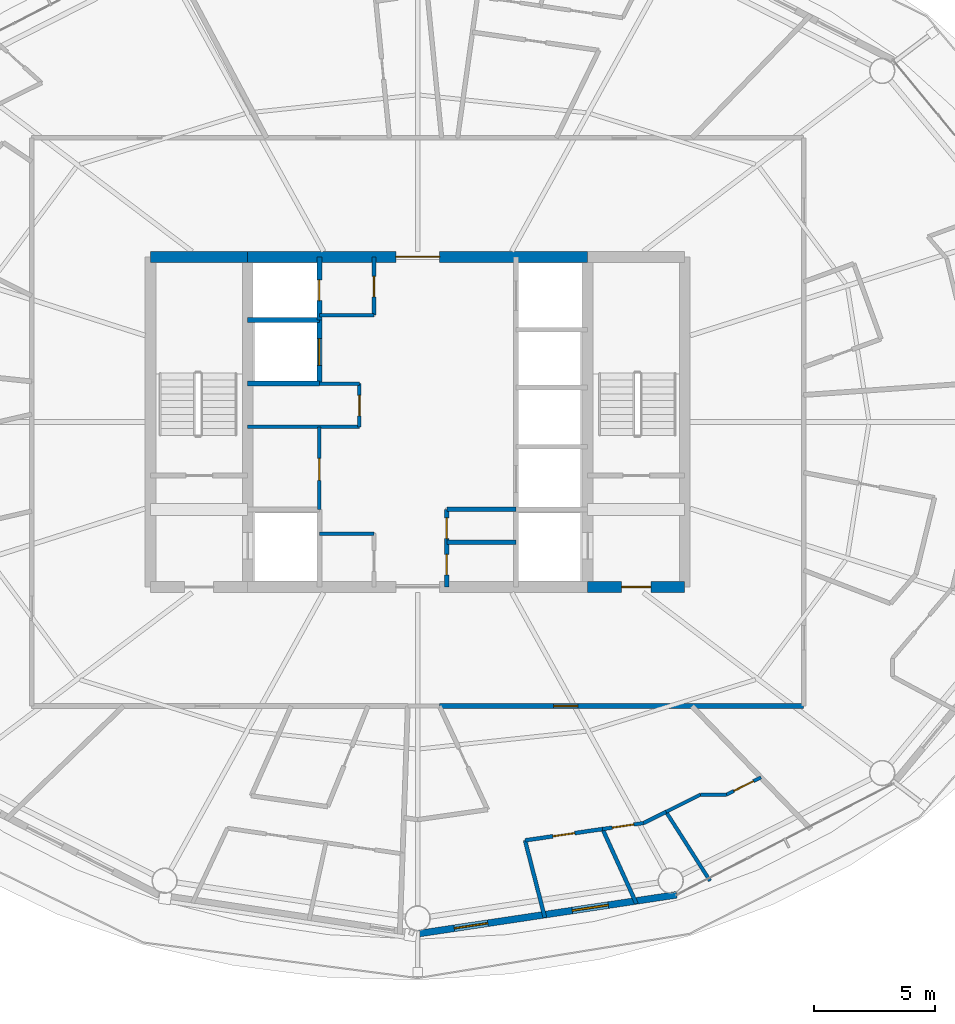
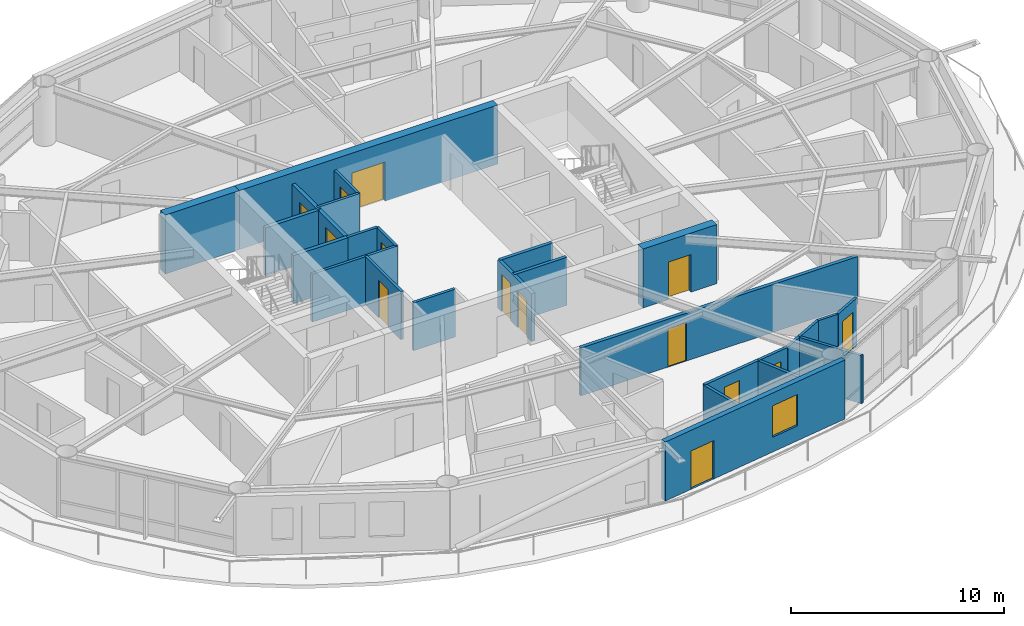
# One storey, part 22 of 28: 28 walls, 14 doors, 1 window, 15 openings.
"""IFC4 building model written with IfcOpenShell, lengths in metres."""

from ifc_helpers import new_model, si_unit, direction, frame, frame_2d, origin, place, context, subcontext, project, spatial, rectangle, extrude, material, layer, layer_set, type_object, element, fill, save


model = new_model("IFC4")

# Units and contexts
model_context = context("Model", 3, precision=1e-05, world=origin(), true_north=direction((0.0, 1.0)))
body_context = subcontext(model_context, "Body", "Model", "MODEL_VIEW")
ifc_project = project(units=[si_unit("LENGTHUNIT", "METRE"), si_unit("AREAUNIT", "SQUARE_METRE"), si_unit("VOLUMEUNIT", "CUBIC_METRE"), si_unit("PLANEANGLEUNIT", "RADIAN"), si_unit("MASSUNIT", "GRAM", prefix="KILO")], contexts=[model_context])

# Site, building, storey
site_placement = place(None, origin())
site = spatial("IfcSite", under=ifc_project, at=site_placement, CompositionType="ELEMENT")
building_placement = place(site_placement, origin())
building = spatial("IfcBuilding", under=site, at=building_placement, Name="Sarneth Arch Tower", CompositionType="ELEMENT")
storey_placement = place(building_placement, frame((0.0, 0.0, 154.199951171875)))
storey = spatial("IfcBuildingStorey", under=building, at=storey_placement, Name="L38", CompositionType="ELEMENT", Elevation=154.199951171875)

# Wall, opening, door
ifc_material_1 = material(Name="Concrete C50/60", Category="concrete")
ifc_layer_1 = layer(ifc_material_1, 0.449951171875)
ifc_layer_set_1 = layer_set([ifc_layer_1], Name="Concrete C50/60")
wall_type_1 = type_object("IfcWallType", Name="WALL-CORE-450", PredefinedType="SHEAR", material=ifc_layer_set_1)
wall_1_placement = place(storey_placement, frame((55.0, 35.199951171875, 0.0), z_axis=(0.0, 0.0, 1.0), x_axis=(1.0, 0.0, 0.0)))
wall_1 = element("IfcWall", 1, at=wall_1_placement, inside=storey, type_object=wall_type_1, Name="L38 Core shear wall S-E", PredefinedType="SHEAR", context=body_context, shape_type="SweptSolid", body=[
    extrude(rectangle(XDim=4.0, YDim=0.449951171875, at=frame_2d((2.0, 0.0))), origin(), (0.0, 0.0, 1.0), 3.380126953125),
])
opening_1_placement = place(wall_1_placement, frame((1.39990234375, 0.0, 0.0)))
opening_1 = element("IfcOpeningElement", 2, at=opening_1_placement, cuts=wall_1, Name="Opening FD-02", PredefinedType="OPENING", context=body_context, shape_type="SweptSolid", body=[
    extrude(rectangle(XDim=1.199951171875, YDim=2.14990234375, at=frame_2d((0.60009765625, 1.074951171875))), frame((0.0, 0.23486328125, 0.0), z_axis=(0.0, -1.0, 0.0), x_axis=(1.0, 0.0, 0.0)), (0.0, 0.0, 1.0), 0.469970703125),
])
ifc_material_2 = material(Name="Galvanised Steel S275 fire door set", Category="steel")
door_type_1 = type_object("IfcDoorType", Name="DR-FD90-1200", OperationType="SINGLE_SWING_LEFT", PredefinedType="DOOR", material=ifc_material_2)
door_1_placement = place(opening_1_placement, origin())
door_1 = element("IfcDoor", 3, at=door_1_placement, inside=storey, type_object=door_type_1, Name="L38 Firefighting lobby 2 exit door", OperationType="SINGLE_SWING_RIGHT", OverallHeight=2.14990234375, OverallWidth=1.199951171875, PredefinedType="DOOR", context=body_context, shape_type="SweptSolid", body=[
    extrude(rectangle(XDim=1.199951171875, YDim=2.14990234375, at=frame_2d((0.60009765625, 1.074951171875))), frame((0.0, 0.02490234375, 0.0), z_axis=(0.0, -1.0, 0.0), x_axis=(1.0, 0.0, 0.0)), (0.0, 0.0, 1.0), 0.050048828125),
])
fill(opening_1, door_1)

# Wall
wall_2_placement = place(storey_placement, frame((37.0, 48.800048828125, 0.0), z_axis=(0.0, 0.0, 1.0), x_axis=(1.0, 0.0, 0.0)))
element("IfcWall", 4, at=wall_2_placement, inside=storey, type_object=wall_type_1, Name="L38 Core shear wall N-W", PredefinedType="SHEAR", context=body_context, shape_type="SweptSolid", body=[
    extrude(rectangle(XDim=4.0, YDim=0.449951171875, at=frame_2d((2.0, 0.0))), origin(), (0.0, 0.0, 1.0), 3.380126953125),
])

# Wall, opening, door
wall_3_placement = place(storey_placement, frame((41.0, 48.800048828125, 0.0), z_axis=(0.0, 0.0, 1.0), x_axis=(1.0, 0.0, 0.0)))
wall_3 = element("IfcWall", 5, at=wall_3_placement, inside=storey, type_object=wall_type_1, Name="L38 Core shear wall N-M", PredefinedType="SHEAR", context=body_context, shape_type="SweptSolid", body=[
    extrude(rectangle(XDim=14.0, YDim=0.449951171875, at=frame_2d((7.0, 0.0))), origin(), (0.0, 0.0, 1.0), 3.380126953125),
])
opening_2_placement = place(wall_3_placement, frame((6.10009765625, 0.0, 0.0)))
opening_2 = element("IfcOpeningElement", 6, at=opening_2_placement, cuts=wall_3, Name="Opening FD-01", PredefinedType="OPENING", context=body_context, shape_type="SweptSolid", body=[
    extrude(rectangle(XDim=1.800048828125, YDim=2.25, at=frame_2d((0.89990234375, 1.125))), frame((0.0, 0.23486328125, 0.0), z_axis=(0.0, -1.0, 0.0), x_axis=(1.0, 0.0, 0.0)), (0.0, 0.0, 1.0), 0.469970703125),
])
ifc_material_3 = material(Name="Galvanised Steel S275 fire door set", Category="steel")
door_type_2 = type_object("IfcDoorType", Name="DR-FD90-1800", OperationType="DOUBLE_DOOR_SINGLE_SWING", PredefinedType="DOOR", material=ifc_material_3)
door_2_placement = place(opening_2_placement, origin())
door_2 = element("IfcDoor", 7, at=door_2_placement, inside=storey, type_object=door_type_2, Name="L38 Central lift lobby north door", OperationType="DOUBLE_DOOR_SINGLE_SWING", OverallHeight=2.25, OverallWidth=1.800048828125, PredefinedType="DOOR", context=body_context, shape_type="SweptSolid", body=[
    extrude(rectangle(XDim=1.800048828125, YDim=2.25, at=frame_2d((0.89990234375, 1.125))), frame((0.0, 0.02490234375, 0.0), z_axis=(0.0, -1.0, 0.0), x_axis=(1.0, 0.0, 0.0)), (0.0, 0.0, 1.0), 0.050048828125),
])
fill(opening_2, door_2)

ifc_material_4 = material(Name="Double steel-stud corridor fire wall", Category="steel")
ifc_layer_2 = layer(ifc_material_4, 0.18994140625)
ifc_layer_set_2 = layer_set([ifc_layer_2], Name="Double steel-stud corridor fire wall")
wall_type_2 = type_object("IfcWallType", Name="WALL-CORR-190", PredefinedType="PARTITIONING", material=ifc_layer_set_2)
wall_4_placement = place(storey_placement, frame((48.89111328125, 30.300048828125, 0.0), z_axis=(0.0, 0.0, 1.0), x_axis=(1.0, 0.0, 0.0)))
wall_4 = element("IfcWall", 8, at=wall_4_placement, inside=storey, type_object=wall_type_2, Name="L38 Interior partition W-L38-TP-021", PredefinedType="PARTITIONING", context=body_context, shape_type="SweptSolid", body=[
    extrude(rectangle(XDim=15.0087890625, YDim=0.18994140625, at=frame_2d((7.50439453125, 0.0))), origin(), (0.0, 0.0, 1.0), 2.739990234375),
])
opening_3_placement = place(wall_4_placement, frame((4.70361328125, 0.0, 0.0)))
opening_3 = element("IfcOpeningElement", 9, at=opening_3_placement, cuts=wall_4, Name="Opening FD-08", PredefinedType="OPENING", context=body_context, shape_type="SweptSolid", body=[
    extrude(rectangle(XDim=1.0, YDim=2.199951171875, at=frame_2d((0.5, 1.10009765625))), frame((0.0, 0.10498046875, 0.0), z_axis=(0.0, -1.0, 0.0), x_axis=(1.0, 0.0, 0.0)), (0.0, 0.0, 1.0), 0.2099609375),
])
ifc_material_5 = material(Name="Hardwood timber acoustic fire door", Category="wood")
door_type_3 = type_object("IfcDoorType", Name="DR-FD60-1000", OperationType="SINGLE_SWING_LEFT", PredefinedType="DOOR", material=ifc_material_5)
door_3_placement = place(opening_3_placement, origin())
door_3 = element("IfcDoor", 10, at=door_3_placement, inside=storey, type_object=door_type_3, Name="L38 Interior door DR-L38-U7-ENT", OperationType="SINGLE_SWING_LEFT", OverallHeight=2.199951171875, OverallWidth=1.0, PredefinedType="DOOR", context=body_context, shape_type="SweptSolid", body=[
    extrude(rectangle(XDim=1.0, YDim=2.199951171875, at=frame_2d((0.5, 1.10009765625))), frame((0.0, 0.02490234375, 0.0), z_axis=(0.0, -1.0, 0.0), x_axis=(1.0, 0.0, 0.0)), (0.0, 0.0, 1.0), 0.050048828125),
])
fill(opening_3, door_3)

# Wall, openings, door, window
ifc_material_6 = material(Name="Extruded terracotta rainscreen on Concrete C40/50 backing", Category="masonry")
ifc_layer_3 = layer(ifc_material_6, 0.280029296875)
ifc_layer_set_3 = layer_set([ifc_layer_3], Name="Extruded terracotta rainscreen on Concrete C40/50 backing")
wall_type_3 = type_object("IfcWallType", Name="WALL-EXT-TERRA-280", PredefinedType="SOLIDWALL", material=ifc_layer_set_3)
wall_5_placement = place(storey_placement, frame((48.0, 20.919921875, 0.0), z_axis=(0.0, 0.0, 1.0), x_axis=(0.988863993413, 0.148822049884, 0.0)))
wall_5 = element("IfcWall", 11, at=wall_5_placement, inside=storey, type_object=wall_type_3, Name="L38 Terracotta perimeter wall 13", PredefinedType="SOLIDWALL", context=body_context, shape_type="SweptSolid", body=[
    extrude(rectangle(XDim=10.782958984375, YDim=0.280029296875, at=frame_2d((5.3916015625, 0.0))), origin(), (0.0, 0.0, 1.0), 3.380126953125),
])
opening_4_placement = place(wall_5_placement, frame((1.523681640625, 0.0, 0.0)))
opening_4 = element("IfcOpeningElement", 12, at=opening_4_placement, cuts=wall_5, Name="Opening BD-2", PredefinedType="OPENING", context=body_context, shape_type="SweptSolid", body=[
    extrude(rectangle(XDim=1.39990234375, YDim=2.199951171875, at=frame_2d((0.699951171875, 1.10009765625))), frame((0.0, 0.14990234375, 0.0), z_axis=(0.0, -1.0, 0.0), x_axis=(1.0, 0.0, 0.0)), (0.0, 0.0, 1.0), 0.300048828125),
])
opening_5_placement = place(wall_5_placement, frame((6.437255859375, 0.0, 0.85009765625)))
opening_5 = element("IfcOpeningElement", 13, at=opening_5_placement, cuts=wall_5, Name="Opening W-07", PredefinedType="OPENING", context=body_context, shape_type="SweptSolid", body=[
    extrude(rectangle(XDim=1.5, YDim=1.800048828125, at=frame_2d((0.75, 0.89990234375))), frame((0.0, 0.14990234375, 0.0), z_axis=(0.0, -1.0, 0.0), x_axis=(1.0, 0.0, 0.0)), (0.0, 0.0, 1.0), 0.300048828125),
])
ifc_material_7 = material(Name="Thermally broken Aluminium 6063-T6 and laminated safety glass", Category="aluminium")
door_type_4 = type_object("IfcDoorType", Name="DR-BALC-GLZ-1400", OperationType="SINGLE_SWING_LEFT", PredefinedType="DOOR", material=ifc_material_7)
door_4_placement = place(opening_4_placement, origin())
door_4 = element("IfcDoor", 14, at=door_4_placement, inside=storey, type_object=door_type_4, Name="L38 Balcony glazed door 13", OperationType="SINGLE_SWING_LEFT", OverallHeight=2.199951171875, OverallWidth=1.39990234375, PredefinedType="DOOR", context=body_context, shape_type="SweptSolid", body=[
    extrude(rectangle(XDim=1.39990234375, YDim=2.199951171875, at=frame_2d((0.699951171875, 1.10009765625))), frame((0.0, 0.02490234375, 0.0), z_axis=(0.0, -1.0, 0.0), x_axis=(1.0, 0.0, 0.0)), (0.0, 0.0, 1.0), 0.050048828125),
])
fill(opening_4, door_4)
ifc_material_8 = material(Name="Thermally broken Aluminium 6063-T6 and low-e laminated IGU", Category="aluminium")
window_type = type_object("IfcWindowType", Name="WIN-TWR-1500x1800", PartitioningType="SINGLE_PANEL", PredefinedType="WINDOW", material=ifc_material_8)
window_placement = place(opening_5_placement, origin())
window = element("IfcWindow", 15, at=window_placement, inside=storey, type_object=window_type, Name="L38 Exterior window 13A", OverallHeight=1.800048828125, OverallWidth=1.5, PartitioningType="SINGLE_PANEL", PredefinedType="WINDOW", context=body_context, shape_type="SweptSolid", body=[
    extrude(rectangle(XDim=1.5, YDim=1.800048828125, at=frame_2d((0.75, 0.89990234375))), frame((0.0, 0.030029296875, 0.0), z_axis=(0.0, -1.0, 0.0), x_axis=(1.0, 0.0, 0.0)), (0.0, 0.0, 1.0), 0.06005859375),
])
fill(opening_5, window)

# Wall, opening, door
ifc_material_9 = material(Name="Apartment internal stud partition", Category="gypsum")
ifc_layer_4 = layer(ifc_material_9, 0.139892578125)
ifc_layer_set_4 = layer_set([ifc_layer_4], Name="Apartment internal stud partition")
wall_type_4 = type_object("IfcWallType", Name="WALL-PART-140", PredefinedType="PARTITIONING", material=ifc_layer_set_4)
wall_6_placement = place(storey_placement, frame((60.71337890625, 26.64990234375, 0.0), z_axis=(0.0, 0.0, 1.0), x_axis=(0.894917522296, 0.446231585937, 0.0)))
wall_6 = element("IfcWall", 16, at=wall_6_placement, inside=storey, type_object=wall_type_4, Name="L38 Interior partition W-L38-TP-096", PredefinedType="PARTITIONING", context=body_context, shape_type="SweptSolid", body=[
    extrude(rectangle(XDim=1.591552734375, YDim=0.139892578125, at=frame_2d((0.7958984375, 0.0))), origin(), (0.0, 0.0, 1.0), 2.739990234375),
])
opening_6_placement = place(wall_6_placement, frame((0.345703125, 0.0, 0.0)))
opening_6 = element("IfcOpeningElement", 17, at=opening_6_placement, cuts=wall_6, Name="Opening ID-01", PredefinedType="OPENING", context=body_context, shape_type="SweptSolid", body=[
    extrude(rectangle(XDim=0.89990234375, YDim=2.10009765625, at=frame_2d((0.449951171875, 1.050048828125))), frame((0.0, 0.079833984375, 0.0), z_axis=(0.0, -1.0, 0.0), x_axis=(1.0, 0.0, 0.0)), (0.0, 0.0, 1.0), 0.159912109375),
])
ifc_material_10 = material(Name="Engineered hardwood flush door", Category="wood")
door_type_5 = type_object("IfcDoorType", Name="DR-INT-900", OperationType="SINGLE_SWING_LEFT", PredefinedType="DOOR", material=ifc_material_10)
door_5_placement = place(opening_6_placement, origin())
door_5 = element("IfcDoor", 18, at=door_5_placement, inside=storey, type_object=door_type_5, Name="L38 Interior door DR-L38-U7-BED2", OperationType="SINGLE_SWING_RIGHT", OverallHeight=2.10009765625, OverallWidth=0.89990234375, PredefinedType="DOOR", context=body_context, shape_type="SweptSolid", body=[
    extrude(rectangle(XDim=0.89990234375, YDim=2.10009765625, at=frame_2d((0.449951171875, 1.050048828125))), frame((0.0, 0.02490234375, 0.0), z_axis=(0.0, -1.0, 0.0), x_axis=(1.0, 0.0, 0.0)), (0.0, 0.0, 1.0), 0.050048828125),
])
fill(opening_6, door_5)

# Walls
wall_7_placement = place(storey_placement, frame((58.22998046875, 25.94189453125, 0.0), z_axis=(0.0, 0.0, 1.0), x_axis=(0.895072075717, 0.445921494516, 0.0)))
element("IfcWall", 19, at=wall_7_placement, inside=storey, type_object=wall_type_4, Name="L38 Interior partition W-L38-TP-094", PredefinedType="PARTITIONING", context=body_context, shape_type="SweptSolid", body=[
    extrude(rectangle(XDim=1.587646484375, YDim=0.139892578125, at=frame_2d((0.7939453125, 0.0))), origin(), (0.0, 0.0, 1.0), 2.739990234375),
])
wall_8_placement = place(storey_placement, frame((59.651123046875, 26.64990234375, 0.0), z_axis=(0.0, 0.0, 1.0), x_axis=(1.0, 0.0, 0.0)))
element("IfcWall", 20, at=wall_8_placement, inside=storey, type_object=wall_type_4, Name="L38 Interior partition W-L38-TP-095", PredefinedType="PARTITIONING", context=body_context, shape_type="SweptSolid", body=[
    extrude(rectangle(XDim=1.062255859375, YDim=0.139892578125, at=frame_2d((0.53125, 0.0))), origin(), (0.0, 0.0, 1.0), 2.739990234375),
])

# Wall, opening, door
ifc_material_11 = material(Name="Acoustic gypsum stud partition", Category="gypsum")
ifc_layer_5 = layer(ifc_material_11, 0.14990234375)
ifc_layer_set_5 = layer_set([ifc_layer_5], Name="Acoustic gypsum stud partition")
wall_type_5 = type_object("IfcWallType", Name="WALL-PART-150", PredefinedType="PARTITIONING", material=ifc_layer_set_5)
wall_9_placement = place(storey_placement, frame((43.949951171875, 38.39990234375, 0.0), z_axis=(0.0, 0.0, 1.0), x_axis=(0.0, 1.0, 0.0)))
wall_9 = element("IfcWall", 21, at=wall_9_placement, inside=storey, type_object=wall_type_5, Name="L38 Interior partition W-L38-RECPL-E1", PredefinedType="PARTITIONING", context=body_context, shape_type="SweptSolid", body=[
    extrude(rectangle(XDim=3.400146484375, YDim=0.14990234375, at=frame_2d((1.7001953125, 0.0))), origin(), (0.0, 0.0, 1.0), 2.739990234375),
])
opening_7_placement = place(wall_9_placement, frame((1.199951171875, 0.0, 0.0)))
opening_7 = element("IfcOpeningElement", 22, at=opening_7_placement, cuts=wall_9, Name="Opening FD-10", PredefinedType="OPENING", context=body_context, shape_type="SweptSolid", body=[
    extrude(rectangle(XDim=0.89990234375, YDim=2.14990234375, at=frame_2d((0.449951171875, 1.074951171875))), frame((0.0, 0.0849609375, 0.0), z_axis=(0.0, -1.0, 0.0), x_axis=(1.0, 0.0, 0.0)), (0.0, 0.0, 1.0), 0.169921875),
])
ifc_material_12 = material(Name="Galvanised Steel S275 riser/service fire door", Category="steel")
door_type_6 = type_object("IfcDoorType", Name="DR-FD60-900", OperationType="SINGLE_SWING_LEFT", PredefinedType="DOOR", material=ifc_material_12)
door_6_placement = place(opening_7_placement, origin())
door_6 = element("IfcDoor", 23, at=door_6_placement, inside=storey, type_object=door_type_6, Name="L38 Interior door DR-L38-RECPL1", OperationType="SINGLE_SWING_LEFT", OverallHeight=2.14990234375, OverallWidth=0.89990234375, PredefinedType="DOOR", context=body_context, shape_type="SweptSolid", body=[
    extrude(rectangle(XDim=0.89990234375, YDim=2.14990234375, at=frame_2d((0.449951171875, 1.074951171875))), frame((0.0, 0.02490234375, 0.0), z_axis=(0.0, -1.0, 0.0), x_axis=(1.0, 0.0, 0.0)), (0.0, 0.0, 1.0), 0.050048828125),
])
fill(opening_7, door_6)

# Walls
wall_10_placement = place(storey_placement, frame((41.0, 41.800048828125, 0.0), z_axis=(0.0, 0.0, 1.0), x_axis=(1.0, 0.0, 0.0)))
element("IfcWall", 24, at=wall_10_placement, inside=storey, type_object=wall_type_5, Name="L38 Interior partition W-L38-RECPL-S2", PredefinedType="PARTITIONING", context=body_context, shape_type="SweptSolid", body=[
    extrude(rectangle(XDim=4.60009765625, YDim=0.14990234375, at=frame_2d((2.300048828125, 0.0))), origin(), (0.0, 0.0, 1.0), 2.739990234375),
])
wall_11_placement = place(storey_placement, frame((43.949951171875, 43.580078125, 0.0), z_axis=(0.0, 0.0, 1.0), x_axis=(1.0, 0.0, 0.0)))
element("IfcWall", 25, at=wall_11_placement, inside=storey, type_object=wall_type_5, Name="L38 Interior partition W-L38-RECPL-N2", PredefinedType="PARTITIONING", context=body_context, shape_type="SweptSolid", body=[
    extrude(rectangle(XDim=1.650146484375, YDim=0.14990234375, at=frame_2d((0.8251953125, 0.0))), origin(), (0.0, 0.0, 1.0), 2.739990234375),
])

# Wall, opening, door
wall_12_placement = place(storey_placement, frame((45.60009765625, 41.800048828125, 0.0), z_axis=(0.0, 0.0, 1.0), x_axis=(0.0, 1.0, 0.0)))
wall_12 = element("IfcWall", 26, at=wall_12_placement, inside=storey, type_object=wall_type_5, Name="L38 Interior partition W-L38-RECPL-E2", PredefinedType="PARTITIONING", context=body_context, shape_type="SweptSolid", body=[
    extrude(rectangle(XDim=1.780029296875, YDim=0.14990234375, at=frame_2d((0.89013671875, 0.0))), origin(), (0.0, 0.0, 1.0), 2.739990234375),
])
opening_8_placement = place(wall_12_placement, frame((0.449951171875, 0.0, 0.0)))
opening_8 = element("IfcOpeningElement", 27, at=opening_8_placement, cuts=wall_12, Name="Opening FD-11", PredefinedType="OPENING", context=body_context, shape_type="SweptSolid", body=[
    extrude(rectangle(XDim=0.85009765625, YDim=2.14990234375, at=frame_2d((0.425048828125, 1.074951171875))), frame((0.0, 0.0849609375, 0.0), z_axis=(0.0, -1.0, 0.0), x_axis=(1.0, 0.0, 0.0)), (0.0, 0.0, 1.0), 0.169921875),
])
ifc_material_13 = material(Name="Galvanised Steel S275 closet fire door", Category="steel")
door_type_7 = type_object("IfcDoorType", Name="DR-FD60-850", OperationType="SINGLE_SWING_LEFT", PredefinedType="DOOR", material=ifc_material_13)
door_7_placement = place(opening_8_placement, origin())
door_7 = element("IfcDoor", 28, at=door_7_placement, inside=storey, type_object=door_type_7, Name="L38 Interior door DR-L38-RECPL2", OperationType="SINGLE_SWING_RIGHT", OverallHeight=2.14990234375, OverallWidth=0.85009765625, PredefinedType="DOOR", context=body_context, shape_type="SweptSolid", body=[
    extrude(rectangle(XDim=0.85009765625, YDim=2.14990234375, at=frame_2d((0.425048828125, 1.074951171875))), frame((0.0, 0.02490234375, 0.0), z_axis=(0.0, -1.0, 0.0), x_axis=(1.0, 0.0, 0.0)), (0.0, 0.0, 1.0), 0.050048828125),
])
fill(opening_8, door_7)

# Walls
for number, where, z_axis, x_axis, name in (
    (29, (43.949951171875, 37.39990234375, 0.0), (0.0, 0.0, 1.0), (1.0, 0.0, 0.0), "L38 Interior partition W-L38-CSUP1-N"),
    (30, (43.949951171875, 46.39990234375, 0.0), (0.0, 0.0, 1.0), (1.0, 0.0, 0.0), "L38 Interior partition W-L38-CSUP2-S"),
):
    element("IfcWall", number, at=place(storey_placement, frame(where, z_axis=z_axis, x_axis=x_axis)), inside=storey, type_object=wall_type_5, Name=name, PredefinedType="PARTITIONING", context=body_context, shape_type="SweptSolid", body=[
        extrude(rectangle(XDim=2.25, YDim=0.14990234375, at=frame_2d((1.125, 0.0))), origin(), (0.0, 0.0, 1.0), 2.739990234375),
    ])

# Wall, opening, door
wall_13_placement = place(storey_placement, frame((46.199951171875, 46.39990234375, 0.0), z_axis=(0.0, 0.0, 1.0), x_axis=(0.0, 1.0, 0.0)))
wall_13 = element("IfcWall", 31, at=wall_13_placement, inside=storey, type_object=wall_type_5, Name="L38 Interior partition W-L38-CSUP2-E", PredefinedType="PARTITIONING", context=body_context, shape_type="SweptSolid", body=[
    extrude(rectangle(XDim=2.400146484375, YDim=0.14990234375, at=frame_2d((1.2001953125, 0.0))), origin(), (0.0, 0.0, 1.0), 2.739990234375),
])
opening_9_placement = place(wall_13_placement, frame((0.75, 0.0, 0.0)))
opening_9 = element("IfcOpeningElement", 32, at=opening_9_placement, cuts=wall_13, Name="Opening FD-11", PredefinedType="OPENING", context=body_context, shape_type="SweptSolid", body=[
    extrude(rectangle(XDim=0.85009765625, YDim=2.14990234375, at=frame_2d((0.425048828125, 1.074951171875))), frame((0.0, 0.0849609375, 0.0), z_axis=(0.0, -1.0, 0.0), x_axis=(1.0, 0.0, 0.0)), (0.0, 0.0, 1.0), 0.169921875),
])
door_8_placement = place(opening_9_placement, origin())
door_8 = element("IfcDoor", 33, at=door_8_placement, inside=storey, type_object=door_type_7, Name="L38 Interior door DR-L38-CSUP2", OperationType="SINGLE_SWING_RIGHT", OverallHeight=2.14990234375, OverallWidth=0.85009765625, PredefinedType="DOOR", context=body_context, shape_type="SweptSolid", body=[
    extrude(rectangle(XDim=0.85009765625, YDim=2.14990234375, at=frame_2d((0.425048828125, 1.074951171875))), frame((0.0, 0.02490234375, 0.0), z_axis=(0.0, -1.0, 0.0), x_axis=(1.0, 0.0, 0.0)), (0.0, 0.0, 1.0), 0.050048828125),
])
fill(opening_9, door_8)

# Wall
wall_14_placement = place(storey_placement, frame((60.042236328125, 23.097412109375, 0.0), z_axis=(0.0, 0.0, 1.0), x_axis=(-0.537325063909, 0.843375228291, 0.0)))
element("IfcWall", 34, at=wall_14_placement, inside=storey, type_object=wall_type_5, Name="L38 Interior partition W-L38-TP-099", PredefinedType="PARTITIONING", context=body_context, shape_type="SweptSolid", body=[
    extrude(rectangle(XDim=3.372802734375, YDim=0.14990234375, at=frame_2d((1.6865234375, 0.0))), origin(), (0.0, 0.0, 1.0), 2.739990234375),
])

# Wall, opening, door
wall_15_placement = place(storey_placement, frame((55.614501953125, 25.23388671875, 0.0), z_axis=(0.0, 0.0, 1.0), x_axis=(0.98949000448, 0.144601282965, 0.0)))
wall_15 = element("IfcWall", 35, at=wall_15_placement, inside=storey, type_object=wall_type_5, Name="L38 Interior partition W-L38-TP-092", PredefinedType="PARTITIONING", context=body_context, shape_type="SweptSolid", body=[
    extrude(rectangle(XDim=1.708740234375, YDim=0.14990234375, at=frame_2d((0.8544921875, 0.0))), origin(), (0.0, 0.0, 1.0), 2.739990234375),
])
opening_10_placement = place(wall_15_placement, frame((0.404296875, 0.0, 0.0)))
opening_10 = element("IfcOpeningElement", 36, at=opening_10_placement, cuts=wall_15, Name="Opening ID-01", PredefinedType="OPENING", context=body_context, shape_type="SweptSolid", body=[
    extrude(rectangle(XDim=0.89990234375, YDim=2.10009765625, at=frame_2d((0.449951171875, 1.050048828125))), frame((0.0, 0.0849609375, 0.0), z_axis=(0.0, -1.0, 0.0), x_axis=(1.0, 0.0, 0.0)), (0.0, 0.0, 1.0), 0.169921875),
])
door_9_placement = place(opening_10_placement, origin())
door_9 = element("IfcDoor", 37, at=door_9_placement, inside=storey, type_object=door_type_5, Name="L38 Interior door DR-L38-U7-BED1", OperationType="SINGLE_SWING_RIGHT", OverallHeight=2.10009765625, OverallWidth=0.89990234375, PredefinedType="DOOR", context=body_context, shape_type="SweptSolid", body=[
    extrude(rectangle(XDim=0.89990234375, YDim=2.10009765625, at=frame_2d((0.449951171875, 1.050048828125))), frame((0.0, 0.02490234375, 0.0), z_axis=(0.0, -1.0, 0.0), x_axis=(1.0, 0.0, 0.0)), (0.0, 0.0, 1.0), 0.050048828125),
])
fill(opening_10, door_9)

# Walls
wall_16_placement = place(storey_placement, frame((57.30517578125, 25.48095703125, 0.0), z_axis=(0.0, 0.0, 1.0), x_axis=(0.894993521752, 0.446079136502, 0.0)))
element("IfcWall", 38, at=wall_16_placement, inside=storey, type_object=wall_type_5, Name="L38 Interior partition W-L38-TP-093", PredefinedType="PARTITIONING", context=body_context, shape_type="SweptSolid", body=[
    extrude(rectangle(XDim=1.033203125, YDim=0.14990234375, at=frame_2d((0.5166015625, 0.0))), origin(), (0.0, 0.0, 1.0), 2.739990234375),
])
ifc_material_14 = material(Name="Kitchen wet service chase wall", Category="gypsum")
ifc_layer_6 = layer(ifc_material_14, 0.159912109375)
ifc_layer_set_6 = layer_set([ifc_layer_6], Name="Kitchen wet service chase wall")
wall_type_6 = type_object("IfcWallType", Name="WALL-PLUMB-160", PredefinedType="PLUMBINGWALL", material=ifc_layer_set_6)
wall_17_placement = place(storey_placement, frame((57.0107421875, 22.1591796875, 0.0), z_axis=(0.0, 0.0, 1.0), x_axis=(-0.413470644354, 0.910517449727, 0.0)))
element("IfcWall", 39, at=wall_17_placement, inside=storey, type_object=wall_type_6, Name="L38 Interior partition W-L38-TP-098", PredefinedType="PLUMBINGWALL", context=body_context, shape_type="SweptSolid", body=[
    extrude(rectangle(XDim=3.376953125, YDim=0.159912109375, at=frame_2d((1.6884765625, 0.0))), origin(), (0.0, 0.0, 1.0), 2.739990234375),
])
wall_18_placement = place(storey_placement, frame((53.238525390625, 21.587646484375, 0.0), z_axis=(0.0, 0.0, 1.0), x_axis=(-0.248586515582, 0.96860969656, 0.0)))
element("IfcWall", 40, at=wall_18_placement, inside=storey, type_object=wall_type_6, Name="L38 Interior partition W-L38-TP-087", PredefinedType="PLUMBINGWALL", context=body_context, shape_type="SweptSolid", body=[
    extrude(rectangle(XDim=3.2822265625, YDim=0.159912109375, at=frame_2d((1.64111328125, 0.0))), origin(), (0.0, 0.0, 1.0), 2.739990234375),
])

# Wall, opening, door
wall_19_placement = place(storey_placement, frame((52.422607421875, 24.766845703125, 0.0), z_axis=(0.0, 0.0, 1.0), x_axis=(0.989463973078, 0.144779300941, 0.0)))
wall_19 = element("IfcWall", 41, at=wall_19_placement, inside=storey, type_object=wall_type_6, Name="L38 Interior partition W-L38-TP-088", PredefinedType="PLUMBINGWALL", context=body_context, shape_type="SweptSolid", body=[
    extrude(rectangle(XDim=3.225830078125, YDim=0.159912109375, at=frame_2d((1.61279296875, 0.0))), origin(), (0.0, 0.0, 1.0), 2.739990234375),
])
opening_11_placement = place(wall_19_placement, frame((1.162841796875, 0.0, 0.0)))
opening_11 = element("IfcOpeningElement", 42, at=opening_11_placement, cuts=wall_19, Name="Opening ID-01", PredefinedType="OPENING", context=body_context, shape_type="SweptSolid", body=[
    extrude(rectangle(XDim=0.89990234375, YDim=2.10009765625, at=frame_2d((0.449951171875, 1.050048828125))), frame((0.0, 0.08984375, 0.0), z_axis=(0.0, -1.0, 0.0), x_axis=(1.0, 0.0, 0.0)), (0.0, 0.0, 1.0), 0.179931640625),
])
door_10_placement = place(opening_11_placement, origin())
door_10 = element("IfcDoor", 43, at=door_10_placement, inside=storey, type_object=door_type_5, Name="L38 Interior door DR-L38-U7-KIT", OperationType="SINGLE_SWING_LEFT", OverallHeight=2.10009765625, OverallWidth=0.89990234375, PredefinedType="DOOR", context=body_context, shape_type="SweptSolid", body=[
    extrude(rectangle(XDim=0.89990234375, YDim=2.10009765625, at=frame_2d((0.449951171875, 1.050048828125))), frame((0.0, 0.02490234375, 0.0), z_axis=(0.0, -1.0, 0.0), x_axis=(1.0, 0.0, 0.0)), (0.0, 0.0, 1.0), 0.050048828125),
])
fill(opening_11, door_10)

# Walls
ifc_material_15 = material(Name="Moisture-resistant plumbing chase wall", Category="gypsum")
ifc_layer_7 = layer(ifc_material_15, 0.179931640625)
ifc_layer_set_7 = layer_set([ifc_layer_7], Name="Moisture-resistant plumbing chase wall")
wall_type_7 = type_object("IfcWallType", Name="WALL-PLUMB-180", PredefinedType="PLUMBINGWALL", material=ifc_layer_set_7)
for number, where, z_axis, x_axis, name in (
    (44, (49.199951171875, 37.050048828125, 0.0), (0.0, 0.0, 1.0), (1.0, 0.0, 0.0), "L38 Interior partition W-L38-AWC-M"),
    (45, (49.199951171875, 38.39990234375, 0.0), (0.0, 0.0, 1.0), (1.0, 0.0, 0.0), "L38 Interior partition W-L38-AWC-N"),
):
    element("IfcWall", number, at=place(storey_placement, frame(where, z_axis=z_axis, x_axis=x_axis)), inside=storey, type_object=wall_type_7, Name=name, PredefinedType="PLUMBINGWALL", context=body_context, shape_type="SweptSolid", body=[
        extrude(rectangle(XDim=2.85009765625, YDim=0.179931640625, at=frame_2d((1.425048828125, 0.0))), origin(), (0.0, 0.0, 1.0), 2.739990234375),
    ])

# Wall, openings, doors
wall_20_placement = place(storey_placement, frame((49.199951171875, 35.199951171875, 0.0), z_axis=(0.0, 0.0, 1.0), x_axis=(0.0, 1.0, 0.0)))
wall_20 = element("IfcWall", 46, at=wall_20_placement, inside=storey, type_object=wall_type_7, Name="L38 Interior partition W-L38-AWC-W", PredefinedType="PLUMBINGWALL", context=body_context, shape_type="SweptSolid", body=[
    extrude(rectangle(XDim=3.199951171875, YDim=0.179931640625, at=frame_2d((1.60009765625, 0.0))), origin(), (0.0, 0.0, 1.0), 2.739990234375),
])
opening_12_placement = place(wall_20_placement, frame((0.5, 0.0, 0.0)))
opening_12 = element("IfcOpeningElement", 47, at=opening_12_placement, cuts=wall_20, Name="Opening ID-02", PredefinedType="OPENING", context=body_context, shape_type="SweptSolid", body=[
    extrude(rectangle(XDim=0.85009765625, YDim=2.10009765625, at=frame_2d((0.425048828125, 1.050048828125))), frame((0.0, 0.099853515625, 0.0), z_axis=(0.0, -1.0, 0.0), x_axis=(1.0, 0.0, 0.0)), (0.0, 0.0, 1.0), 0.199951171875),
])
opening_13_placement = place(wall_20_placement, frame((2.0, 0.0, 0.0)))
opening_13 = element("IfcOpeningElement", 48, at=opening_13_placement, cuts=wall_20, Name="Opening FD-11", PredefinedType="OPENING", context=body_context, shape_type="SweptSolid", body=[
    extrude(rectangle(XDim=0.85009765625, YDim=2.14990234375, at=frame_2d((0.425048828125, 1.074951171875))), frame((0.0, 0.099853515625, 0.0), z_axis=(0.0, -1.0, 0.0), x_axis=(1.0, 0.0, 0.0)), (0.0, 0.0, 1.0), 0.199951171875),
])
door_11_placement = place(opening_13_placement, origin())
door_11 = element("IfcDoor", 49, at=door_11_placement, inside=storey, type_object=door_type_7, Name="L38 Interior door DR-L38-CSUP3", OperationType="SINGLE_SWING_LEFT", OverallHeight=2.14990234375, OverallWidth=0.85009765625, PredefinedType="DOOR", context=body_context, shape_type="SweptSolid", body=[
    extrude(rectangle(XDim=0.85009765625, YDim=2.14990234375, at=frame_2d((0.425048828125, 1.074951171875))), frame((0.0, 0.02490234375, 0.0), z_axis=(0.0, -1.0, 0.0), x_axis=(1.0, 0.0, 0.0)), (0.0, 0.0, 1.0), 0.050048828125),
])
fill(opening_13, door_11)
ifc_material_16 = material(Name="Moisture-resistant bathroom timber door", Category="wood")
door_type_8 = type_object("IfcDoorType", Name="DR-INT-850", OperationType="SINGLE_SWING_RIGHT", PredefinedType="DOOR", material=ifc_material_16)
door_12_placement = place(opening_12_placement, origin())
door_12 = element("IfcDoor", 50, at=door_12_placement, inside=storey, type_object=door_type_8, Name="L38 Interior door DR-L38-AWC", OperationType="SINGLE_SWING_RIGHT", OverallHeight=2.10009765625, OverallWidth=0.85009765625, PredefinedType="DOOR", context=body_context, shape_type="SweptSolid", body=[
    extrude(rectangle(XDim=0.85009765625, YDim=2.10009765625, at=frame_2d((0.425048828125, 1.050048828125))), frame((0.0, 0.02490234375, 0.0), z_axis=(0.0, -1.0, 0.0), x_axis=(1.0, 0.0, 0.0)), (0.0, 0.0, 1.0), 0.050048828125),
])
fill(opening_12, door_12)

# Wall
ifc_material_17 = material(Name="Aerated concrete blockwork C25/30", Category="masonry")
ifc_layer_8 = layer(ifc_material_17, 0.199951171875)
ifc_layer_set_8 = layer_set([ifc_layer_8], Name="Aerated concrete blockwork C25/30")
wall_type_8 = type_object("IfcWallType", Name="WALL-SHAFT-200", PredefinedType="SOLIDWALL", material=ifc_layer_set_8)
wall_21_placement = place(storey_placement, frame((41.0, 46.199951171875, 0.0), z_axis=(0.0, 0.0, 1.0), x_axis=(1.0, 0.0, 0.0)))
element("IfcWall", 51, at=wall_21_placement, inside=storey, type_object=wall_type_8, Name="L38 Interior partition W-L38-RISER-S", PredefinedType="SOLIDWALL", context=body_context, shape_type="SweptSolid", body=[
    extrude(rectangle(XDim=2.949951171875, YDim=0.199951171875, at=frame_2d((1.47509765625, 0.0))), origin(), (0.0, 0.0, 1.0), 2.739990234375),
])

# Wall, opening, door
wall_22_placement = place(storey_placement, frame((43.949951171875, 46.199951171875, 0.0), z_axis=(0.0, 0.0, 1.0), x_axis=(0.0, 1.0, 0.0)))
wall_22 = element("IfcWall", 52, at=wall_22_placement, inside=storey, type_object=wall_type_8, Name="L38 Interior partition W-L38-RISER-E", PredefinedType="SOLIDWALL", context=body_context, shape_type="SweptSolid", body=[
    extrude(rectangle(XDim=2.60009765625, YDim=0.199951171875, at=frame_2d((1.300048828125, 0.0))), origin(), (0.0, 0.0, 1.0), 2.739990234375),
])
opening_14_placement = place(wall_22_placement, frame((0.800048828125, 0.0, 0.0)))
opening_14 = element("IfcOpeningElement", 53, at=opening_14_placement, cuts=wall_22, Name="Opening FD-11", PredefinedType="OPENING", context=body_context, shape_type="SweptSolid", body=[
    extrude(rectangle(XDim=0.85009765625, YDim=2.14990234375, at=frame_2d((0.425048828125, 1.074951171875))), frame((0.0, 0.10986328125, 0.0), z_axis=(0.0, -1.0, 0.0), x_axis=(1.0, 0.0, 0.0)), (0.0, 0.0, 1.0), 0.219970703125),
])
door_13_placement = place(opening_14_placement, origin())
door_13 = element("IfcDoor", 54, at=door_13_placement, inside=storey, type_object=door_type_7, Name="L38 Lift landing door DR-L38-RISER", OperationType="SINGLE_SWING_LEFT", OverallHeight=2.14990234375, OverallWidth=0.85009765625, PredefinedType="DOOR", context=body_context, shape_type="SweptSolid", body=[
    extrude(rectangle(XDim=0.85009765625, YDim=2.14990234375, at=frame_2d((0.425048828125, 1.074951171875))), frame((0.0, 0.02490234375, 0.0), z_axis=(0.0, -1.0, 0.0), x_axis=(1.0, 0.0, 0.0)), (0.0, 0.0, 1.0), 0.050048828125),
])
fill(opening_14, door_13)

# Wall
wall_23_placement = place(storey_placement, frame((41.0, 43.580078125, 0.0), z_axis=(0.0, 0.0, 1.0), x_axis=(1.0, 0.0, 0.0)))
element("IfcWall", 55, at=wall_23_placement, inside=storey, type_object=wall_type_8, Name="L38 Interior partition W-L38-PM1-S", PredefinedType="SOLIDWALL", context=body_context, shape_type="SweptSolid", body=[
    extrude(rectangle(XDim=2.949951171875, YDim=0.199951171875, at=frame_2d((1.47509765625, 0.0))), origin(), (0.0, 0.0, 1.0), 2.739990234375),
])

# Wall, opening, door
wall_24_placement = place(storey_placement, frame((43.949951171875, 43.580078125, 0.0), z_axis=(0.0, 0.0, 1.0), x_axis=(0.0, 1.0, 0.0)))
wall_24 = element("IfcWall", 56, at=wall_24_placement, inside=storey, type_object=wall_type_8, Name="L38 Interior partition W-L38-PM1-FRONT", PredefinedType="SOLIDWALL", context=body_context, shape_type="SweptSolid", body=[
    extrude(rectangle(XDim=2.619873046875, YDim=0.199951171875, at=frame_2d((1.31005859375, 0.0))), origin(), (0.0, 0.0, 1.0), 2.739990234375),
])
opening_15_placement = place(wall_24_placement, frame((0.75, 0.0, 0.0)))
opening_15 = element("IfcOpeningElement", 57, at=opening_15_placement, cuts=wall_24, Name="Opening LD-1", PredefinedType="OPENING", context=body_context, shape_type="SweptSolid", body=[
    extrude(rectangle(XDim=1.10009765625, YDim=2.199951171875, at=frame_2d((0.550048828125, 1.10009765625))), frame((0.0, 0.10986328125, 0.0), z_axis=(0.0, -1.0, 0.0), x_axis=(1.0, 0.0, 0.0)), (0.0, 0.0, 1.0), 0.219970703125),
])
ifc_material_18 = material(Name="Brushed Stainless Steel 304 lift landing door", Category="steel")
door_type_9 = type_object("IfcDoorType", Name="DR-LIFT-SLIDE-1100", OperationType="SLIDING_TO_LEFT", PredefinedType="DOOR", material=ifc_material_18)
door_14_placement = place(opening_15_placement, origin())
door_14 = element("IfcDoor", 58, at=door_14_placement, inside=storey, type_object=door_type_9, Name="L38 Lift landing door DR-L38-LD-PM1", OperationType="SLIDING_TO_LEFT", OverallHeight=2.199951171875, OverallWidth=1.10009765625, PredefinedType="DOOR", context=body_context, shape_type="SweptSolid", body=[
    extrude(rectangle(XDim=1.10009765625, YDim=2.199951171875, at=frame_2d((0.550048828125, 1.10009765625))), frame((0.0, 0.02490234375, 0.0), z_axis=(0.0, -1.0, 0.0), x_axis=(1.0, 0.0, 0.0)), (0.0, 0.0, 1.0), 0.050048828125),
])
fill(opening_15, door_14)

save(model, "model.ifc")
